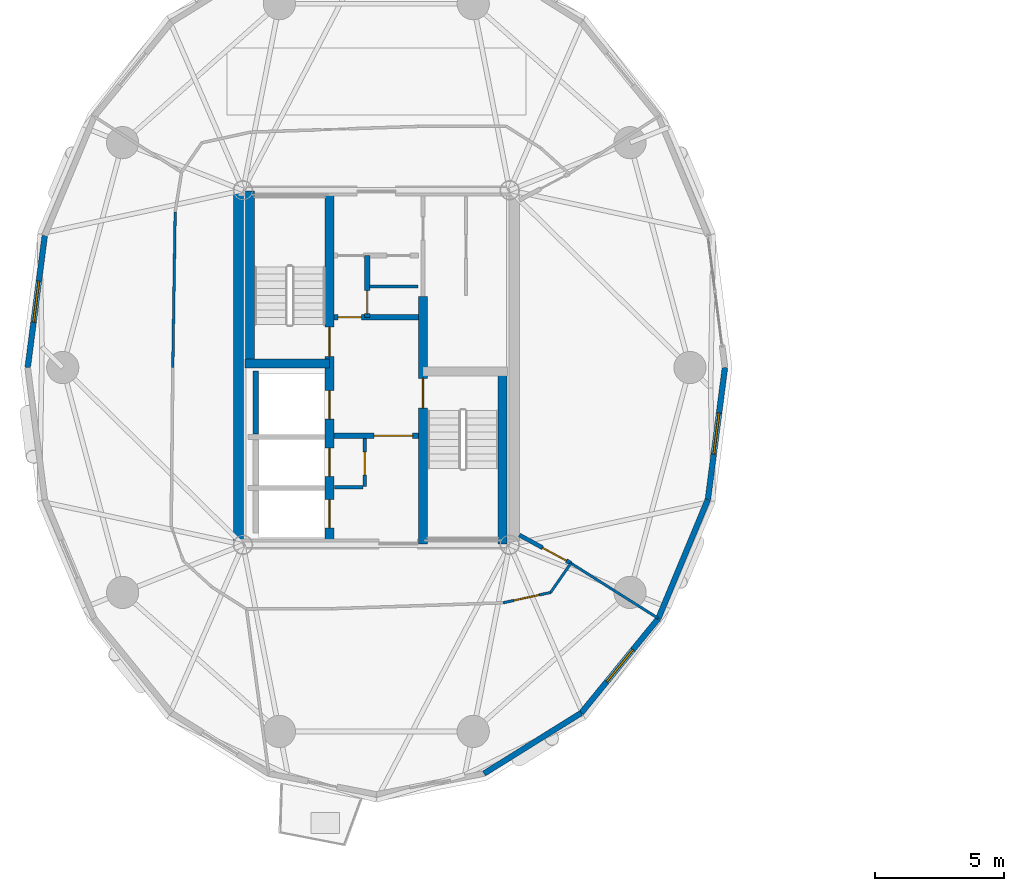
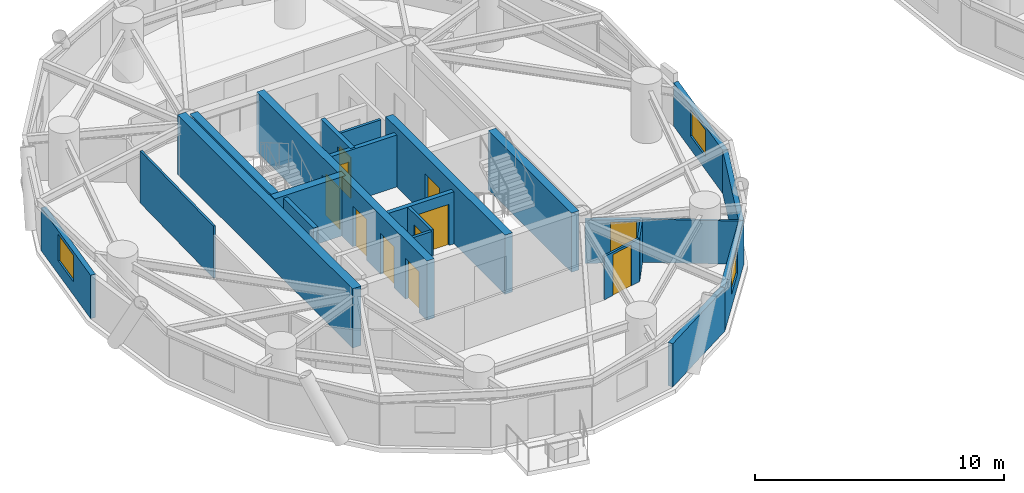
# One storey, part 8 of 15: 23 walls, 11 doors, 3 windows, 14 openings.
"""IFC4 building model written with IfcOpenShell, lengths in metres."""

from ifc_helpers import new_model, si_unit, direction, frame, frame_2d, origin, place, context, subcontext, project, spatial, rectangle, extrude, source, transform, mapped, material, layer, layer_set, type_object, element, fill, save


model = new_model("IFC4")

# Units and contexts
model_context = context("Model", 3, precision=1e-05, world=origin(), true_north=direction((0.0, 1.0)))
body_context = subcontext(model_context, "Body", "Model", "MODEL_VIEW")
ifc_project = project(units=[si_unit("LENGTHUNIT", "METRE"), si_unit("AREAUNIT", "SQUARE_METRE"), si_unit("VOLUMEUNIT", "CUBIC_METRE"), si_unit("PLANEANGLEUNIT", "RADIAN"), si_unit("MASSUNIT", "GRAM", prefix="KILO")], contexts=[model_context])

# Site, building, storey
site_placement = place(None, origin())
site = spatial("IfcSite", under=ifc_project, at=site_placement, CompositionType="ELEMENT")
building_placement = place(site_placement, origin())
building = spatial("IfcBuilding", under=site, at=building_placement, Name="Cununo Teusaquillo Station Towers", CompositionType="ELEMENT")
storey_placement = place(building_placement, frame((0.0, 0.0, 189.429931640625)))
storey = spatial("IfcBuildingStorey", under=building, at=storey_placement, Name="L60", CompositionType="ELEMENT", Elevation=189.429931640625)

# Wall
ifc_material_1 = material(Name="Concrete C50/60", Category="concrete")
ifc_layer_1 = layer(ifc_material_1, 0.199951171875)
ifc_layer_set_1 = layer_set([ifc_layer_1], Name="Concrete C50/60")
wall_type_1 = type_object("IfcWallType", Name="WL-CORE-200", PredefinedType="SHEAR", material=ifc_layer_set_1)
wall_1_placement = place(storey_placement, frame((11.820068359375, 21.919921875, 0.0), z_axis=(0.0, 0.0, 1.0), x_axis=(0.0, 1.0, 0.0)))
element("IfcWall", 1, at=wall_1_placement, inside=storey, type_object=wall_type_1, Name="L60 Tower A Firefighting Lift Shaft Rear Shear Wall", PredefinedType="SHEAR", context=body_context, shape_type="SweptSolid", body=[
    extrude(rectangle(XDim=2.440185546875, YDim=0.199951171875, at=frame_2d((1.22021484375, 0.0))), origin(), (0.0, 0.0, 1.0), 2.91015625),
])

# Wall, openings, doors
ifc_material_2 = material(Name="Concrete C50/60", Category="concrete")
ifc_layer_2 = layer(ifc_material_2, 0.35009765625)
ifc_layer_set_2 = layer_set([ifc_layer_2], Name="Concrete C50/60")
wall_type_2 = type_object("IfcWallType", Name="WL-CORE-350", PredefinedType="SHEAR", material=ifc_layer_set_2)
wall_2_placement = place(storey_placement, frame((14.68505859375, 17.64990234375, 0.0), z_axis=(0.0, 0.0, 1.0), x_axis=(0.0, 1.0, 0.0)))
wall_2 = element("IfcWall", 2, at=wall_2_placement, inside=storey, type_object=wall_type_2, Name="L60 Tower A Core Shear Wall IW", PredefinedType="SHEAR", context=body_context, shape_type="SweptSolid", body=[
    extrude(rectangle(XDim=13.7001953125, YDim=0.35009765625, at=frame_2d((6.85009765625, 0.0))), origin(), (0.0, 0.0, 1.0), 2.91015625),
])
shared_shape_1 = source(origin(), body_context, "Body", "SweptSolid", [
    extrude(rectangle(XDim=1.10009765625, YDim=2.014892578125, at=frame_2d((0.550048828125, 1.00732421875))), frame((0.0, 0.18505859375, 0.0), z_axis=(0.0, -1.0, 0.0), x_axis=(1.0, 0.0, 0.0)), (0.0, 0.0, 1.0), 0.3701171875),
])
opening_1_placement = place(wall_2_placement, frame((4.85009765625, 0.0, 0.0)))
opening_1 = element("IfcOpeningElement", 3, at=opening_1_placement, cuts=wall_2, Name="Opening LD-01", PredefinedType="OPENING", context=body_context, shape_type="MappedRepresentation", body=[
    mapped(shared_shape_1, transform((0.0, 0.0, 0.0), x_axis=(1.0, 0.0, 0.0), y_axis=(0.0, 1.0, 0.0), z_axis=(0.0, 0.0, 1.0), scale=1.0)),
])
opening_2_placement = place(wall_2_placement, frame((0.625, 0.0, 0.0)))
opening_2 = element("IfcOpeningElement", 4, at=opening_2_placement, cuts=wall_2, Name="Opening LD-01", PredefinedType="OPENING", context=body_context, shape_type="MappedRepresentation", body=[
    mapped(shared_shape_1, transform((0.0, 0.0, 0.0), x_axis=(1.0, 0.0, 0.0), y_axis=(0.0, 1.0, 0.0), z_axis=(0.0, 0.0, 1.0), scale=1.0)),
])
opening_3_placement = place(wall_2_placement, frame((2.625, 0.0, 0.0)))
opening_3 = element("IfcOpeningElement", 5, at=opening_3_placement, cuts=wall_2, Name="Opening LD-01", PredefinedType="OPENING", context=body_context, shape_type="MappedRepresentation", body=[
    mapped(shared_shape_1, transform((0.0, 0.0, 0.0), x_axis=(1.0, 0.0, 0.0), y_axis=(0.0, 1.0, 0.0), z_axis=(0.0, 0.0, 1.0), scale=1.0)),
])
shared_shape_2 = source(origin(), body_context, "Body", "SweptSolid", [
    extrude(rectangle(XDim=1.14990234375, YDim=2.02001953125, at=frame_2d((0.574951171875, 1.010009765625))), frame((0.0, 0.18505859375, 0.0), z_axis=(0.0, -1.0, 0.0), x_axis=(1.0, 0.0, 0.0)), (0.0, 0.0, 1.0), 0.3701171875),
])
opening_4_placement = place(wall_2_placement, frame((7.27001953125, 0.0, 0.0)))
opening_4 = element("IfcOpeningElement", 6, at=opening_4_placement, cuts=wall_2, Name="Opening D-ST1", PredefinedType="OPENING", context=body_context, shape_type="MappedRepresentation", body=[
    mapped(shared_shape_2, transform((0.0, 0.0, 0.0), x_axis=(1.0, 0.0, 0.0), y_axis=(0.0, 1.0, 0.0), z_axis=(0.0, 0.0, 1.0), scale=1.0)),
])
ifc_material_3 = material(Name="Galvanised fire-rated hollow steel door assembly", Category="steel")
door_type_1 = type_object("IfcDoorType", Name="DR-LIFT-1100", OperationType="SLIDING_TO_LEFT", PredefinedType="DOOR", material=ifc_material_3)
shared_shape_3 = source(origin(), body_context, "Body", "SweptSolid", [
    extrude(rectangle(XDim=1.10009765625, YDim=2.014892578125, at=frame_2d((0.550048828125, 1.00732421875))), frame((0.0, 0.02490234375, 0.0), z_axis=(0.0, -1.0, 0.0), x_axis=(1.0, 0.0, 0.0)), (0.0, 0.0, 1.0), 0.050048828125),
])
door_1_placement = place(opening_1_placement, origin())
door_1 = element("IfcDoor", 7, at=door_1_placement, inside=storey, type_object=door_type_1, Name="L60 Lift FL-T1 Sliding Landing Door", OperationType="SLIDING_TO_LEFT", OverallHeight=2.014892578125, OverallWidth=1.10009765625, PredefinedType="DOOR", context=body_context, shape_type="MappedRepresentation", body=[
    mapped(shared_shape_3, transform((0.0, 0.0, 0.0), x_axis=(1.0, 0.0, 0.0), y_axis=(0.0, 1.0, 0.0), z_axis=(0.0, 0.0, 1.0), scale=1.0)),
])
fill(opening_1, door_1)
door_2_placement = place(opening_2_placement, origin())
door_2 = element("IfcDoor", 8, at=door_2_placement, inside=storey, type_object=door_type_1, Name="L60 Lift PL-T1-H1 Sliding Landing Door", OperationType="SLIDING_TO_RIGHT", OverallHeight=2.014892578125, OverallWidth=1.10009765625, PredefinedType="DOOR", context=body_context, shape_type="MappedRepresentation", body=[
    mapped(shared_shape_3, transform((0.0, 0.0, 0.0), x_axis=(1.0, 0.0, 0.0), y_axis=(0.0, 1.0, 0.0), z_axis=(0.0, 0.0, 1.0), scale=1.0)),
])
fill(opening_2, door_2)
door_3_placement = place(opening_3_placement, origin())
door_3 = element("IfcDoor", 9, at=door_3_placement, inside=storey, type_object=door_type_1, Name="L60 Lift PL-T1-H2 Sliding Landing Door", OperationType="SLIDING_TO_LEFT", OverallHeight=2.014892578125, OverallWidth=1.10009765625, PredefinedType="DOOR", context=body_context, shape_type="MappedRepresentation", body=[
    mapped(shared_shape_3, transform((0.0, 0.0, 0.0), x_axis=(1.0, 0.0, 0.0), y_axis=(0.0, 1.0, 0.0), z_axis=(0.0, 0.0, 1.0), scale=1.0)),
])
fill(opening_3, door_3)
ifc_material_4 = material(Name="Galvanised fire-rated hollow steel door assembly", Category="steel")
door_type_2 = type_object("IfcDoorType", Name="DR-STAIR-1150", OperationType="NOTDEFINED", PredefinedType="DOOR", material=ifc_material_4)
shared_shape_4 = source(origin(), body_context, "Body", "SweptSolid", [
    extrude(rectangle(XDim=1.14990234375, YDim=2.02001953125, at=frame_2d((0.574951171875, 1.010009765625))), frame((0.0, 0.02490234375, 0.0), z_axis=(0.0, -1.0, 0.0), x_axis=(1.0, 0.0, 0.0)), (0.0, 0.0, 1.0), 0.050048828125),
])
door_4_placement = place(opening_4_placement, origin())
door_4 = element("IfcDoor", 10, at=door_4_placement, inside=storey, type_object=door_type_2, Name="L60 Tower A Exit Stair 1 Fire Door", OperationType="SINGLE_SWING_RIGHT", OverallHeight=2.02001953125, OverallWidth=1.14990234375, PredefinedType="DOOR", context=body_context, shape_type="MappedRepresentation", body=[
    mapped(shared_shape_4, transform((0.0, 0.0, 0.0), x_axis=(1.0, 0.0, 0.0), y_axis=(0.0, 1.0, 0.0), z_axis=(0.0, 0.0, 1.0), scale=1.0)),
])
fill(opening_4, door_4)

# Wall, opening, door
wall_3_placement = place(storey_placement, frame((18.31494140625, 17.64990234375, 0.0), z_axis=(0.0, 0.0, 1.0), x_axis=(0.0, 1.0, 0.0)))
wall_3 = element("IfcWall", 11, at=wall_3_placement, inside=storey, type_object=wall_type_2, Name="L60 Tower A Core Shear Wall IE", PredefinedType="SHEAR", context=body_context, shape_type="SweptSolid", body=[
    extrude(rectangle(XDim=9.60009765625, YDim=0.35009765625, at=frame_2d((4.800048828125, 0.0))), origin(), (0.0, 0.0, 1.0), 2.91015625),
])
opening_5_placement = place(wall_3_placement, frame((5.280029296875, 0.0, 0.0)))
opening_5 = element("IfcOpeningElement", 12, at=opening_5_placement, cuts=wall_3, Name="Opening D-ST1", PredefinedType="OPENING", context=body_context, shape_type="MappedRepresentation", body=[
    mapped(shared_shape_2, transform((0.0, 0.0, 0.0), x_axis=(1.0, 0.0, 0.0), y_axis=(0.0, 1.0, 0.0), z_axis=(0.0, 0.0, 1.0), scale=1.0)),
])
door_5_placement = place(opening_5_placement, origin())
door_5 = element("IfcDoor", 13, at=door_5_placement, inside=storey, type_object=door_type_2, Name="L60 Tower A Exit Stair 2 Fire Door", OperationType="SINGLE_SWING_LEFT", OverallHeight=2.02001953125, OverallWidth=1.14990234375, PredefinedType="DOOR", context=body_context, shape_type="MappedRepresentation", body=[
    mapped(shared_shape_4, transform((0.0, 0.0, 0.0), x_axis=(1.0, 0.0, 0.0), y_axis=(0.0, 1.0, 0.0), z_axis=(0.0, 0.0, 1.0), scale=1.0)),
])
fill(opening_5, door_5)

# Walls
wall_4_placement = place(storey_placement, frame((11.594970703125, 24.655029296875, 0.0), z_axis=(0.0, 0.0, 1.0), x_axis=(0.0, 1.0, 0.0)))
element("IfcWall", 14, at=wall_4_placement, inside=storey, type_object=wall_type_2, Name="L60 Tower A Core Shear Wall ST1W", PredefinedType="SHEAR", context=body_context, shape_type="SweptSolid", body=[
    extrude(rectangle(XDim=6.695068359375, YDim=0.35009765625, at=frame_2d((3.34765625, 0.0))), origin(), (0.0, 0.0, 1.0), 2.91015625),
])
wall_5_placement = place(storey_placement, frame((11.39990234375, 24.655029296875, 0.0), z_axis=(0.0, 0.0, 1.0), x_axis=(1.0, 0.0, 0.0)))
element("IfcWall", 15, at=wall_5_placement, inside=storey, type_object=wall_type_2, Name="L60 Tower A Core Shear Wall ST1S", PredefinedType="SHEAR", context=body_context, shape_type="SweptSolid", body=[
    extrude(rectangle(XDim=3.28515625, YDim=0.35009765625, at=frame_2d((1.642578125, 0.0))), origin(), (0.0, 0.0, 1.0), 2.91015625),
])
wall_6_placement = place(storey_placement, frame((21.405029296875, 17.64990234375, 0.0), z_axis=(0.0, 0.0, 1.0), x_axis=(0.0, 1.0, 0.0)))
element("IfcWall", 16, at=wall_6_placement, inside=storey, type_object=wall_type_2, Name="L60 Tower A Core Shear Wall ST2E", PredefinedType="SHEAR", context=body_context, shape_type="SweptSolid", body=[
    extrude(rectangle(XDim=6.695068359375, YDim=0.35009765625, at=frame_2d((3.34765625, 0.0))), origin(), (0.0, 0.0, 1.0), 2.91015625),
])
ifc_material_5 = material(Name="Concrete C50/60", Category="concrete")
ifc_layer_3 = layer(ifc_material_5, 0.39990234375)
ifc_layer_set_3 = layer_set([ifc_layer_3], Name="Concrete C50/60")
wall_type_3 = type_object("IfcWallType", Name="WL-CORE-400", PredefinedType="SHEAR", material=ifc_layer_set_3)
wall_7_placement = place(storey_placement, frame((11.14990234375, 17.449951171875, 0.0), z_axis=(0.0, 0.0, 1.0), x_axis=(0.0, 1.0, 0.0)))
element("IfcWall", 17, at=wall_7_placement, inside=storey, type_object=wall_type_3, Name="L60 Tower A Core Shear Wall W", PredefinedType="SHEAR", context=body_context, shape_type="SweptSolid", body=[
    extrude(rectangle(XDim=14.10009765625, YDim=0.39990234375, at=frame_2d((7.050048828125, 0.0))), origin(), (0.0, 0.0, 1.0), 2.91015625),
])

# Wall, opening, window
ifc_material_6 = material(Name="Precast concrete C40/50", Category="concrete")
ifc_layer_4 = layer(ifc_material_6, 0.219970703125)
ifc_layer_set_4 = layer_set([ifc_layer_4], Name="Precast concrete C40/50")
wall_type_4 = type_object("IfcWallType", Name="WL-EXT-220", PredefinedType="SOLIDWALL", material=ifc_layer_set_4)
wall_8_placement = place(storey_placement, frame((2.968994140625, 24.5, 0.0), z_axis=(0.0, 0.0, 1.0), x_axis=(0.128287912609, 0.991736966881, 0.0)))
wall_8 = element("IfcWall", 18, at=wall_8_placement, inside=storey, type_object=wall_type_4, Name="L60 Tower A Exterior Facade Wall C09", PredefinedType="SOLIDWALL", context=body_context, shape_type="SweptSolid", body=[
    extrude(rectangle(XDim=5.1630859375, YDim=0.219970703125, at=frame_2d((2.58154296875, 0.0))), origin(), (0.0, 0.0, 1.0), 2.125),
])
shared_shape_5 = source(origin(), body_context, "Body", "SweptSolid", [
    extrude(rectangle(XDim=1.60009765625, YDim=1.300048828125, at=frame_2d((0.800048828125, 0.64990234375))), frame((0.0, 0.119873046875, 0.0), z_axis=(0.0, -1.0, 0.0), x_axis=(1.0, 0.0, 0.0)), (0.0, 0.0, 1.0), 0.239990234375),
])
opening_6_placement = place(wall_8_placement, frame((1.781982421875, 0.0, 0.64990234375)))
opening_6 = element("IfcOpeningElement", 19, at=opening_6_placement, cuts=wall_8, Name="Opening WN-03", PredefinedType="OPENING", context=body_context, shape_type="MappedRepresentation", body=[
    mapped(shared_shape_5, transform((0.0, 0.0, 0.0), x_axis=(1.0, 0.0, 0.0), y_axis=(0.0, 1.0, 0.0), z_axis=(0.0, 0.0, 1.0), scale=1.0)),
])
ifc_material_7 = material(Name="Ceramic-fritted dark low-E double glazing", Category="glass")
window_type = type_object("IfcWindowType", Name="WIN-CORN-1600", PartitioningType="SINGLE_PANEL", PredefinedType="WINDOW", material=ifc_material_7)
shared_shape_6 = source(origin(), body_context, "Body", "SweptSolid", [
    extrude(rectangle(XDim=1.60009765625, YDim=1.300048828125, at=frame_2d((0.800048828125, 0.64990234375))), frame((0.0, 0.030029296875, 0.0), z_axis=(0.0, -1.0, 0.0), x_axis=(1.0, 0.0, 0.0)), (0.0, 0.0, 1.0), 0.06005859375),
])
window_1_placement = place(opening_6_placement, origin())
window_1 = element("IfcWindow", 20, at=window_1_placement, inside=storey, type_object=window_type, Name="L60 Tower A Facade Window C09", OverallHeight=1.300048828125, OverallWidth=1.60009765625, PartitioningType="SINGLE_PANEL", PredefinedType="WINDOW", context=body_context, shape_type="MappedRepresentation", body=[
    mapped(shared_shape_6, transform((0.0, 0.0, 0.0), x_axis=(1.0, 0.0, 0.0), y_axis=(0.0, 1.0, 0.0), z_axis=(0.0, 0.0, 1.0), scale=1.0)),
])
fill(opening_6, window_1)

# Wall
wall_9_placement = place(storey_placement, frame((24.453369140625, 11.094482421875, 0.0), z_axis=(0.0, 0.0, 1.0), x_axis=(-0.848399108042, -0.529357113368, 0.0)))
element("IfcWall", 21, at=wall_9_placement, inside=storey, type_object=wall_type_4, Name="L60 Tower A Exterior Facade Wall C16", PredefinedType="SOLIDWALL", context=body_context, shape_type="SweptSolid", body=[
    extrude(rectangle(XDim=4.446044921875, YDim=0.219970703125, at=frame_2d((2.22314453125, 0.0))), origin(), (0.0, 0.0, 1.0), 2.125),
])

# Wall, opening, window
wall_10_placement = place(storey_placement, frame((27.44677734375, 14.760498046875, 0.0), z_axis=(0.0, 0.0, 1.0), x_axis=(-0.632470615287, -0.774584353572, 0.0)))
wall_10 = element("IfcWall", 22, at=wall_10_placement, inside=storey, type_object=wall_type_4, Name="L60 Tower A Exterior Facade Wall C17", PredefinedType="SOLIDWALL", context=body_context, shape_type="SweptSolid", body=[
    extrude(rectangle(XDim=4.73291015625, YDim=0.219970703125, at=frame_2d((2.366455078125, 0.0))), origin(), (0.0, 0.0, 1.0), 2.125),
])
opening_7_placement = place(wall_10_placement, frame((1.56591796875, 0.0, 0.64990234375)))
opening_7 = element("IfcOpeningElement", 23, at=opening_7_placement, cuts=wall_10, Name="Opening WN-03", PredefinedType="OPENING", context=body_context, shape_type="MappedRepresentation", body=[
    mapped(shared_shape_5, transform((0.0, 0.0, 0.0), x_axis=(1.0, 0.0, 0.0), y_axis=(0.0, 1.0, 0.0), z_axis=(0.0, 0.0, 1.0), scale=1.0)),
])
window_2_placement = place(opening_7_placement, origin())
window_2 = element("IfcWindow", 24, at=window_2_placement, inside=storey, type_object=window_type, Name="L60 Tower A Facade Window C17", OverallHeight=1.300048828125, OverallWidth=1.60009765625, PartitioningType="SINGLE_PANEL", PredefinedType="WINDOW", context=body_context, shape_type="MappedRepresentation", body=[
    mapped(shared_shape_6, transform((0.0, 0.0, 0.0), x_axis=(1.0, 0.0, 0.0), y_axis=(0.0, 1.0, 0.0), z_axis=(0.0, 0.0, 1.0), scale=1.0)),
])
fill(opening_7, window_2)

# Wall
wall_11_placement = place(storey_placement, frame((29.36865234375, 19.379638671875, 0.0), z_axis=(0.0, 0.0, 1.0), x_axis=(-0.384144094086, -0.923273152961, 0.0)))
element("IfcWall", 25, at=wall_11_placement, inside=storey, type_object=wall_type_4, Name="L60 Tower A Exterior Facade Wall C18", PredefinedType="SOLIDWALL", context=body_context, shape_type="SweptSolid", body=[
    extrude(rectangle(XDim=5.0029296875, YDim=0.219970703125, at=frame_2d((2.50146484375, 0.0))), origin(), (0.0, 0.0, 1.0), 2.125),
])

# Wall, opening, window
wall_12_placement = place(storey_placement, frame((30.031005859375, 24.5, 0.0), z_axis=(0.0, 0.0, 1.0), x_axis=(-0.128287912609, -0.991736966881, 0.0)))
wall_12 = element("IfcWall", 26, at=wall_12_placement, inside=storey, type_object=wall_type_4, Name="L60 Tower A Exterior Facade Wall C19", PredefinedType="SOLIDWALL", context=body_context, shape_type="SweptSolid", body=[
    extrude(rectangle(XDim=5.1630859375, YDim=0.219970703125, at=frame_2d((2.58154296875, 0.0))), origin(), (0.0, 0.0, 1.0), 2.125),
])
opening_8_placement = place(wall_12_placement, frame((1.781982421875, 0.0, 0.64990234375)))
opening_8 = element("IfcOpeningElement", 27, at=opening_8_placement, cuts=wall_12, Name="Opening WN-03", PredefinedType="OPENING", context=body_context, shape_type="MappedRepresentation", body=[
    mapped(shared_shape_5, transform((0.0, 0.0, 0.0), x_axis=(1.0, 0.0, 0.0), y_axis=(0.0, 1.0, 0.0), z_axis=(0.0, 0.0, 1.0), scale=1.0)),
])
window_3_placement = place(opening_8_placement, origin())
window_3 = element("IfcWindow", 28, at=window_3_placement, inside=storey, type_object=window_type, Name="L60 Tower A Facade Window C19", OverallHeight=1.300048828125, OverallWidth=1.60009765625, PartitioningType="SINGLE_PANEL", PredefinedType="WINDOW", context=body_context, shape_type="MappedRepresentation", body=[
    mapped(shared_shape_6, transform((0.0, 0.0, 0.0), x_axis=(1.0, 0.0, 0.0), y_axis=(0.0, 1.0, 0.0), z_axis=(0.0, 0.0, 1.0), scale=1.0)),
])
fill(opening_8, window_3)

# Wall
ifc_material_8 = material(Name="Fire-rated gypsum plasterboard partition assembly", Category="gypsum")
ifc_layer_5 = layer(ifc_material_8, 0.10009765625)
ifc_layer_set_5 = layer_set([ifc_layer_5], Name="Fire-rated gypsum plasterboard partition assembly")
wall_type_5 = type_object("IfcWallType", Name="WL-PART-100", PredefinedType="MOVABLE", material=ifc_layer_set_5)
wall_13_placement = place(storey_placement, frame((8.692626953125, 30.544189453125, 0.0), z_axis=(0.0, 0.0, 1.0), x_axis=(-0.015307007986, -0.99988284089, 0.0)))
element("IfcWall", 29, at=wall_13_placement, inside=storey, type_object=wall_type_5, Name="L60 Tower A Corridor Ring Wall C09", PredefinedType="MOVABLE", context=body_context, shape_type="SweptSolid", body=[
    extrude(rectangle(XDim=6.044921875, YDim=0.10009765625, at=frame_2d((3.0224609375, 0.0))), origin(), (0.0, 0.0, 1.0), 2.55517578125),
])

# Wall, opening, door
wall_14_placement = place(storey_placement, frame((21.418701171875, 15.369140625, 0.0), z_axis=(0.0, 0.0, 1.0), x_axis=(0.977192701953, 0.212354475464, 0.0)))
wall_14 = element("IfcWall", 30, at=wall_14_placement, inside=storey, type_object=wall_type_5, Name="L60 Tower A Corridor Ring Wall C16", PredefinedType="MOVABLE", context=body_context, shape_type="SweptSolid", body=[
    extrude(rectangle(XDim=1.8876953125, YDim=0.10009765625, at=frame_2d((0.94384765625, 0.0))), origin(), (0.0, 0.0, 1.0), 2.125),
])
shared_shape_7 = source(origin(), body_context, "Body", "SweptSolid", [
    extrude(rectangle(XDim=1.0, YDim=2.014892578125, at=frame_2d((0.5, 1.00732421875))), frame((0.0, 0.06005859375, 0.0), z_axis=(0.0, -1.0, 0.0), x_axis=(1.0, 0.0, 0.0)), (0.0, 0.0, 1.0), 0.1201171875),
])
opening_9_placement = place(wall_14_placement, frame((0.44384765625, 0.0, 0.0)))
opening_9 = element("IfcOpeningElement", 31, at=opening_9_placement, cuts=wall_14, Name="Opening D-AC1", PredefinedType="OPENING", context=body_context, shape_type="MappedRepresentation", body=[
    mapped(shared_shape_7, transform((0.0, 0.0, 0.0), x_axis=(1.0, 0.0, 0.0), y_axis=(0.0, 1.0, 0.0), z_axis=(0.0, 0.0, 1.0), scale=1.0)),
])
ifc_material_9 = material(Name="Acoustic solid-core hardwood leaf assembly", Category="wood")
door_type_3 = type_object("IfcDoorType", Name="DR-ACC-1000", OperationType="NOTDEFINED", PredefinedType="DOOR", material=ifc_material_9)
shared_shape_8 = source(origin(), body_context, "Body", "SweptSolid", [
    extrude(rectangle(XDim=1.0, YDim=2.014892578125, at=frame_2d((0.5, 1.00732421875))), frame((0.0, 0.02490234375, 0.0), z_axis=(0.0, -1.0, 0.0), x_axis=(1.0, 0.0, 0.0)), (0.0, 0.0, 1.0), 0.050048828125),
])
door_6_placement = place(opening_9_placement, origin())
door_6 = element("IfcDoor", 32, at=door_6_placement, inside=storey, type_object=door_type_3, Name="L60 Tower A Public Accessible Restroom WC Entrance Door", OperationType="SINGLE_SWING_LEFT", OverallHeight=2.014892578125, OverallWidth=1.0, PredefinedType="DOOR", context=body_context, shape_type="MappedRepresentation", body=[
    mapped(shared_shape_8, transform((0.0, 0.0, 0.0), x_axis=(1.0, 0.0, 0.0), y_axis=(0.0, 1.0, 0.0), z_axis=(0.0, 0.0, 1.0), scale=1.0)),
])
fill(opening_9, door_6)

# Walls
wall_15_placement = place(storey_placement, frame((23.263427734375, 15.77001953125, 0.0), z_axis=(0.0, 0.0, 1.0), x_axis=(0.570743456919, 0.821128434768, 0.0)))
element("IfcWall", 33, at=wall_15_placement, inside=storey, type_object=wall_type_5, Name="L60 Tower A Corridor Ring Wall C17", PredefinedType="MOVABLE", context=body_context, shape_type="SweptSolid", body=[
    extrude(rectangle(XDim=1.381591796875, YDim=0.10009765625, at=frame_2d((0.69091796875, 0.0))), origin(), (0.0, 0.0, 1.0), 2.125),
])
wall_16_placement = place(storey_placement, frame((24.052001953125, 16.904541015625, 0.0), z_axis=(0.0, 0.0, 1.0), x_axis=(0.845666007609, -0.533712472755, 0.0)))
element("IfcWall", 34, at=wall_16_placement, inside=storey, type_object=wall_type_5, Name="L60 Tower A Radial Suite Partition R04", PredefinedType="MOVABLE", context=body_context, shape_type="SweptSolid", body=[
    extrude(rectangle(XDim=3.995361328125, YDim=0.10009765625, at=frame_2d((1.99755859375, 0.0))), origin(), (0.0, 0.0, 1.0), 2.125),
])

# Wall, opening, door
ifc_material_10 = material(Name="Fire-rated gypsum plasterboard partition assembly", Category="gypsum")
ifc_layer_6 = layer(ifc_material_10, 0.125)
ifc_layer_set_6 = layer_set([ifc_layer_6], Name="Fire-rated gypsum plasterboard partition assembly")
wall_type_6 = type_object("IfcWallType", Name="WL-PART-125", PredefinedType="PARTITIONING", material=ifc_layer_set_6)
wall_17_placement = place(storey_placement, frame((16.050048828125, 19.8798828125, 0.0), z_axis=(0.0, 0.0, 1.0), x_axis=(0.0, 1.0, 0.0)))
wall_17 = element("IfcWall", 35, at=wall_17_placement, inside=storey, type_object=wall_type_6, Name="L60 Tower A North-West Lobby Store East Wall", PredefinedType="PARTITIONING", context=body_context, shape_type="SweptSolid", body=[
    extrude(rectangle(XDim=1.8701171875, YDim=0.125, at=frame_2d((0.93505859375, 0.0))), origin(), (0.0, 0.0, 1.0), 2.55517578125),
])
shared_shape_9 = source(origin(), body_context, "Body", "SweptSolid", [
    extrude(rectangle(XDim=0.89990234375, YDim=2.0048828125, at=frame_2d((0.449951171875, 1.00244140625))), frame((0.0, 0.072509765625, 0.0), z_axis=(0.0, -1.0, 0.0), x_axis=(1.0, 0.0, 0.0)), (0.0, 0.0, 1.0), 0.14501953125),
])
opening_10_placement = place(wall_17_placement, frame((0.449951171875, 0.0, 0.0)))
opening_10 = element("IfcOpeningElement", 36, at=opening_10_placement, cuts=wall_17, Name="Opening D-SR1", PredefinedType="OPENING", context=body_context, shape_type="MappedRepresentation", body=[
    mapped(shared_shape_9, transform((0.0, 0.0, 0.0), x_axis=(1.0, 0.0, 0.0), y_axis=(0.0, 1.0, 0.0), z_axis=(0.0, 0.0, 1.0), scale=1.0)),
])
ifc_material_11 = material(Name="Galvanised fire-rated hollow steel door assembly", Category="steel")
door_type_4 = type_object("IfcDoorType", Name="DR-STORE-900", OperationType="NOTDEFINED", PredefinedType="DOOR", material=ifc_material_11)
shared_shape_10 = source(origin(), body_context, "Body", "SweptSolid", [
    extrude(rectangle(XDim=0.89990234375, YDim=2.0048828125, at=frame_2d((0.449951171875, 1.00244140625))), frame((0.0, 0.02490234375, 0.0), z_axis=(0.0, -1.0, 0.0), x_axis=(1.0, 0.0, 0.0)), (0.0, 0.0, 1.0), 0.050048828125),
])
door_7_placement = place(opening_10_placement, origin())
door_7 = element("IfcDoor", 37, at=door_7_placement, inside=storey, type_object=door_type_4, Name="L60 Tower A South Lobby Data Store Door", OperationType="SINGLE_SWING_RIGHT", OverallHeight=2.0048828125, OverallWidth=0.89990234375, PredefinedType="DOOR", context=body_context, shape_type="MappedRepresentation", body=[
    mapped(shared_shape_10, transform((0.0, 0.0, 0.0), x_axis=(1.0, 0.0, 0.0), y_axis=(0.0, 1.0, 0.0), z_axis=(0.0, 0.0, 1.0), scale=1.0)),
])
fill(opening_10, door_7)

# Walls
wall_18_placement = place(storey_placement, frame((14.8798828125, 19.85009765625, 0.0), z_axis=(0.0, 0.0, 1.0), x_axis=(1.0, 0.0, 0.0)))
element("IfcWall", 38, at=wall_18_placement, inside=storey, type_object=wall_type_6, Name="L60 Tower A North-West Lobby Store South Wall", PredefinedType="PARTITIONING", context=body_context, shape_type="SweptSolid", body=[
    extrude(rectangle(XDim=1.10009765625, YDim=0.125, at=frame_2d((0.550048828125, 0.0))), origin(), (0.0, 0.0, 1.0), 2.55517578125),
])
wall_19_placement = place(storey_placement, frame((16.239990234375, 27.64990234375, 0.0), z_axis=(0.0, 0.0, 1.0), x_axis=(1.0, 0.0, 0.0)))
element("IfcWall", 39, at=wall_19_placement, inside=storey, type_object=wall_type_6, Name="L60 Tower A Core Horizontal Split Wall", PredefinedType="PARTITIONING", context=body_context, shape_type="SweptSolid", body=[
    extrude(rectangle(XDim=1.880126953125, YDim=0.125, at=frame_2d((0.93994140625, 0.0))), origin(), (0.0, 0.0, 1.0), 2.55517578125),
])

# Wall, opening, door
ifc_material_12 = material(Name="Fire-rated gypsum plasterboard partition assembly", Category="gypsum")
ifc_layer_7 = layer(ifc_material_12, 0.159912109375)
ifc_layer_set_7 = layer_set([ifc_layer_7], Name="Fire-rated gypsum plasterboard partition assembly")
wall_type_7 = type_object("IfcWallType", Name="WL-PART-160", PredefinedType="PARTITIONING", material=ifc_layer_set_7)
wall_20_placement = place(storey_placement, frame((22.050048828125, 18.0, 0.0), z_axis=(0.0, 0.0, 1.0), x_axis=(0.877252891813, -0.480028503118, 0.0)))
wall_20 = element("IfcWall", 40, at=wall_20_placement, inside=storey, type_object=wall_type_7, Name="L60 Tower A East Salon Corridor Portal Wall SE", PredefinedType="PARTITIONING", context=body_context, shape_type="SweptSolid", body=[
    extrude(rectangle(XDim=2.281982421875, YDim=0.159912109375, at=frame_2d((1.14111328125, 0.0))), origin(), (0.0, 0.0, 1.0), 2.125),
])
shared_shape_11 = source(origin(), body_context, "Body", "SweptSolid", [
    extrude(rectangle(XDim=1.050048828125, YDim=2.014892578125, at=frame_2d((0.52490234375, 1.00732421875))), frame((0.0, 0.08984375, 0.0), z_axis=(0.0, -1.0, 0.0), x_axis=(1.0, 0.0, 0.0)), (0.0, 0.0, 1.0), 0.179931640625),
])
opening_11_placement = place(wall_20_placement, frame((1.031982421875, 0.0, 0.0)))
opening_11 = element("IfcOpeningElement", 41, at=opening_11_placement, cuts=wall_20, Name="Opening D-SU1", PredefinedType="OPENING", context=body_context, shape_type="MappedRepresentation", body=[
    mapped(shared_shape_11, transform((0.0, 0.0, 0.0), x_axis=(1.0, 0.0, 0.0), y_axis=(0.0, 1.0, 0.0), z_axis=(0.0, 0.0, 1.0), scale=1.0)),
])
ifc_material_13 = material(Name="Acoustic solid-core hardwood leaf assembly", Category="wood")
door_type_5 = type_object("IfcDoorType", Name="DR-SUITE-1050", OperationType="NOTDEFINED", PredefinedType="DOOR", material=ifc_material_13)
shared_shape_12 = source(origin(), body_context, "Body", "SweptSolid", [
    extrude(rectangle(XDim=1.050048828125, YDim=2.014892578125, at=frame_2d((0.52490234375, 1.00732421875))), frame((0.0, 0.02490234375, 0.0), z_axis=(0.0, -1.0, 0.0), x_axis=(1.0, 0.0, 0.0)), (0.0, 0.0, 1.0), 0.050048828125),
])
door_8_placement = place(opening_11_placement, origin())
door_8 = element("IfcDoor", 42, at=door_8_placement, inside=storey, type_object=door_type_5, Name="L60 Tower A East Panorama Sky Salon Door SE", OperationType="SINGLE_SWING_RIGHT", OverallHeight=2.014892578125, OverallWidth=1.050048828125, PredefinedType="DOOR", context=body_context, shape_type="MappedRepresentation", body=[
    mapped(shared_shape_12, transform((0.0, 0.0, 0.0), x_axis=(1.0, 0.0, 0.0), y_axis=(0.0, 1.0, 0.0), z_axis=(0.0, 0.0, 1.0), scale=1.0)),
])
fill(opening_11, door_8)

ifc_material_14 = material(Name="Fire-rated gypsum plasterboard partition assembly", Category="gypsum")
ifc_layer_8 = layer(ifc_material_14, 0.199951171875)
ifc_layer_set_8 = layer_set([ifc_layer_8], Name="Fire-rated gypsum plasterboard partition assembly")
wall_type_8 = type_object("IfcWallType", Name="WL-PART-200", PredefinedType="PARTITIONING", material=ifc_layer_set_8)
wall_21_placement = place(storey_placement, frame((14.860107421875, 21.85009765625, 0.0), z_axis=(0.0, 0.0, 1.0), x_axis=(1.0, 0.0, 0.0)))
wall_21 = element("IfcWall", 43, at=wall_21_placement, inside=storey, type_object=wall_type_8, Name="L60 Tower A Firefighting Lift Lobby South Fire Wall", PredefinedType="PARTITIONING", context=body_context, shape_type="SweptSolid", body=[
    extrude(rectangle(XDim=3.27978515625, YDim=0.199951171875, at=frame_2d((1.639892578125, 0.0))), origin(), (0.0, 0.0, 1.0), 2.55517578125),
])
shared_shape_13 = source(origin(), body_context, "Body", "SweptSolid", [
    extrude(rectangle(XDim=1.5, YDim=2.02001953125, at=frame_2d((0.75, 1.010009765625))), frame((0.0, 0.10986328125, 0.0), z_axis=(0.0, -1.0, 0.0), x_axis=(1.0, 0.0, 0.0)), (0.0, 0.0, 1.0), 0.219970703125),
])
opening_12_placement = place(wall_21_placement, frame((1.550048828125, 0.0, 0.0)))
opening_12 = element("IfcOpeningElement", 44, at=opening_12_placement, cuts=wall_21, Name="Opening D-LB1", PredefinedType="OPENING", context=body_context, shape_type="MappedRepresentation", body=[
    mapped(shared_shape_13, transform((0.0, 0.0, 0.0), x_axis=(1.0, 0.0, 0.0), y_axis=(0.0, 1.0, 0.0), z_axis=(0.0, 0.0, 1.0), scale=1.0)),
])
ifc_material_15 = material(Name="Galvanised fire-rated hollow steel door assembly", Category="steel")
door_type_6 = type_object("IfcDoorType", Name="DR-LOBBY-1500", OperationType="DOUBLE_DOOR_SINGLE_SWING", PredefinedType="DOOR", material=ifc_material_15)
shared_shape_14 = source(origin(), body_context, "Body", "SweptSolid", [
    extrude(rectangle(XDim=1.5, YDim=2.02001953125, at=frame_2d((0.75, 1.010009765625))), frame((0.0, 0.02490234375, 0.0), z_axis=(0.0, -1.0, 0.0), x_axis=(1.0, 0.0, 0.0)), (0.0, 0.0, 1.0), 0.050048828125),
])
door_9_placement = place(opening_12_placement, origin())
door_9 = element("IfcDoor", 45, at=door_9_placement, inside=storey, type_object=door_type_6, Name="L60 Tower A Firefighting Lift Lobby South Fire Door", OperationType="DOUBLE_DOOR_SINGLE_SWING", OverallHeight=2.02001953125, OverallWidth=1.5, PredefinedType="DOOR", context=body_context, shape_type="MappedRepresentation", body=[
    mapped(shared_shape_14, transform((0.0, 0.0, 0.0), x_axis=(1.0, 0.0, 0.0), y_axis=(0.0, 1.0, 0.0), z_axis=(0.0, 0.0, 1.0), scale=1.0)),
])
fill(opening_12, door_9)

wall_22_placement = place(storey_placement, frame((14.860107421875, 26.449951171875, 0.0), z_axis=(0.0, 0.0, 1.0), x_axis=(1.0, 0.0, 0.0)))
wall_22 = element("IfcWall", 46, at=wall_22_placement, inside=storey, type_object=wall_type_8, Name="L60 Tower A Firefighting Lift Lobby North Fire Wall", PredefinedType="PARTITIONING", context=body_context, shape_type="SweptSolid", body=[
    extrude(rectangle(XDim=3.27978515625, YDim=0.199951171875, at=frame_2d((1.639892578125, 0.0))), origin(), (0.0, 0.0, 1.0), 2.55517578125),
])
shared_shape_15 = source(origin(), body_context, "Body", "SweptSolid", [
    extrude(rectangle(XDim=0.89990234375, YDim=2.0048828125, at=frame_2d((0.449951171875, 1.00244140625))), frame((0.0, 0.10986328125, 0.0), z_axis=(0.0, -1.0, 0.0), x_axis=(1.0, 0.0, 0.0)), (0.0, 0.0, 1.0), 0.219970703125),
])
opening_13_placement = place(wall_22_placement, frame((0.159912109375, 0.0, 0.0)))
opening_13 = element("IfcOpeningElement", 47, at=opening_13_placement, cuts=wall_22, Name="Opening D-SR1", PredefinedType="OPENING", context=body_context, shape_type="MappedRepresentation", body=[
    mapped(shared_shape_15, transform((0.0, 0.0, 0.0), x_axis=(1.0, 0.0, 0.0), y_axis=(0.0, 1.0, 0.0), z_axis=(0.0, 0.0, 1.0), scale=1.0)),
])
door_10_placement = place(opening_13_placement, origin())
door_10 = element("IfcDoor", 48, at=door_10_placement, inside=storey, type_object=door_type_4, Name="L60 Tower A Stair 1 Protected Vestibule South Door", OperationType="SINGLE_SWING_RIGHT", OverallHeight=2.0048828125, OverallWidth=0.89990234375, PredefinedType="DOOR", context=body_context, shape_type="MappedRepresentation", body=[
    mapped(shared_shape_10, transform((0.0, 0.0, 0.0), x_axis=(1.0, 0.0, 0.0), y_axis=(0.0, 1.0, 0.0), z_axis=(0.0, 0.0, 1.0), scale=1.0)),
])
fill(opening_13, door_10)

wall_23_placement = place(storey_placement, frame((16.14990234375, 26.449951171875, 0.0), z_axis=(0.0, 0.0, 1.0), x_axis=(0.0, 1.0, 0.0)))
wall_23 = element("IfcWall", 49, at=wall_23_placement, inside=storey, type_object=wall_type_8, Name="L60 Tower A Stair 1 Vestibule Partition Wall", PredefinedType="PARTITIONING", context=body_context, shape_type="SweptSolid", body=[
    extrude(rectangle(XDim=2.400146484375, YDim=0.199951171875, at=frame_2d((1.2001953125, 0.0))), origin(), (0.0, 0.0, 1.0), 2.55517578125),
])
opening_14_placement = place(wall_23_placement, frame((0.139892578125, 0.0, 0.0)))
opening_14 = element("IfcOpeningElement", 50, at=opening_14_placement, cuts=wall_23, Name="Opening D-SR1", PredefinedType="OPENING", context=body_context, shape_type="MappedRepresentation", body=[
    mapped(shared_shape_15, transform((0.0, 0.0, 0.0), x_axis=(1.0, 0.0, 0.0), y_axis=(0.0, 1.0, 0.0), z_axis=(0.0, 0.0, 1.0), scale=1.0)),
])
door_11_placement = place(opening_14_placement, origin())
door_11 = element("IfcDoor", 51, at=door_11_placement, inside=storey, type_object=door_type_4, Name="L60 Tower A Core Linen Store Door", OperationType="SINGLE_SWING_LEFT", OverallHeight=2.0048828125, OverallWidth=0.89990234375, PredefinedType="DOOR", context=body_context, shape_type="MappedRepresentation", body=[
    mapped(shared_shape_10, transform((0.0, 0.0, 0.0), x_axis=(1.0, 0.0, 0.0), y_axis=(0.0, 1.0, 0.0), z_axis=(0.0, 0.0, 1.0), scale=1.0)),
])
fill(opening_14, door_11)

save(model, "model.ifc")
